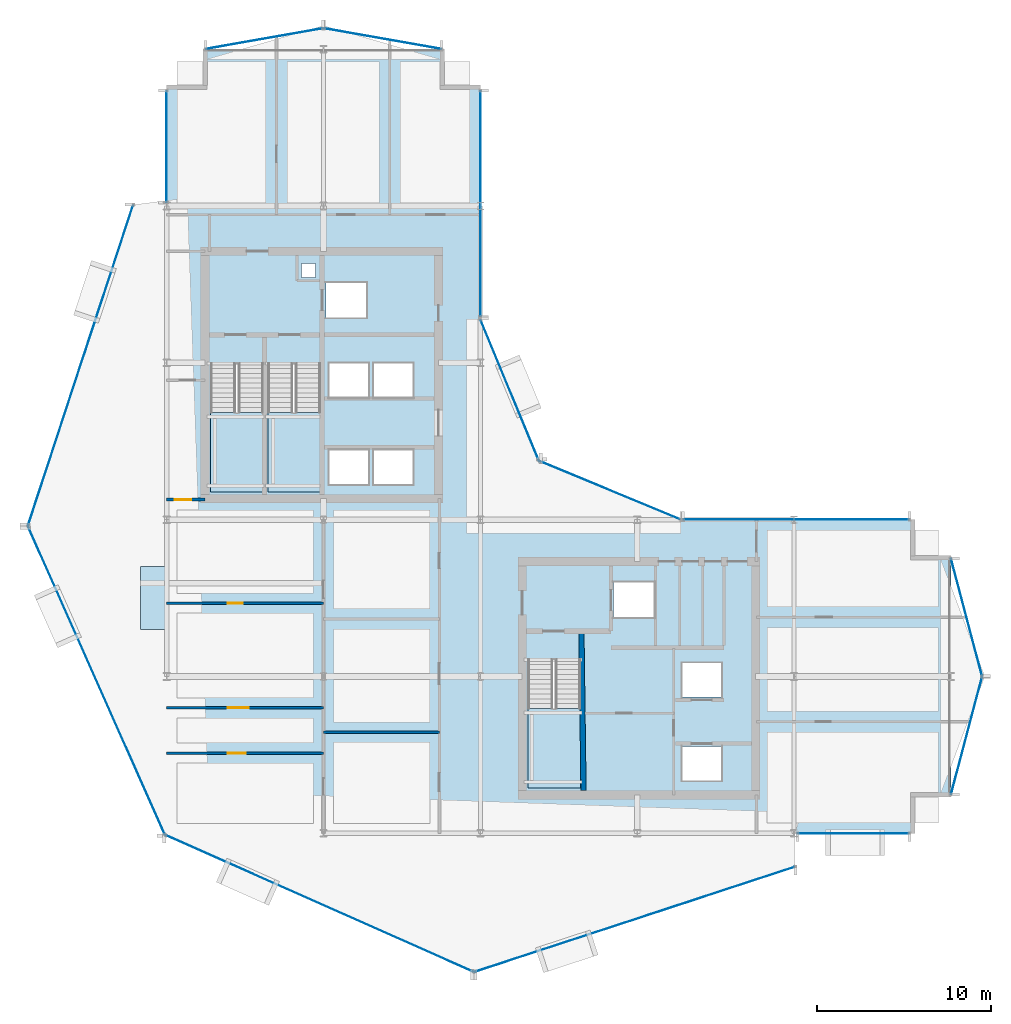
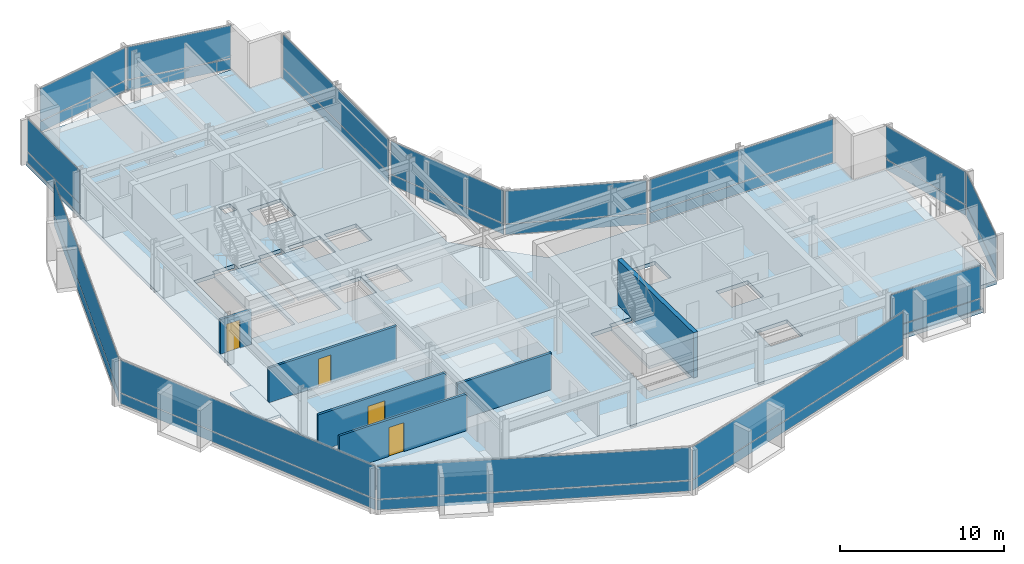
# One storey, part 21 of 29: 28 plates, 6 walls, 5 slabs, 4 doors, 4 openings, 17 elements without a shape of their own.
"""IFC4 building model written with IfcOpenShell, lengths in metres."""

from ifc_helpers import new_model, si_unit, direction, frame, frame_2d, origin, origin_2d, place, context, subcontext, project, spatial, polyline, rectangle, outline, extrude, material, layer, layer_set, type_object, element, fill, aggregate, save


model = new_model("IFC4")

# Units and contexts
model_context = context("Model", 3, precision=1e-05, world=origin(), true_north=direction((0.0, 1.0)))
body_context = subcontext(model_context, "Body", "Model", "MODEL_VIEW")
ifc_project = project(units=[si_unit("LENGTHUNIT", "METRE"), si_unit("AREAUNIT", "SQUARE_METRE"), si_unit("VOLUMEUNIT", "CUBIC_METRE"), si_unit("PLANEANGLEUNIT", "RADIAN"), si_unit("MASSUNIT", "GRAM", prefix="KILO")], contexts=[model_context])

# Site, building, storey
site_placement = place(None, origin())
site = spatial("IfcSite", under=ifc_project, at=site_placement, CompositionType="ELEMENT")
building_placement = place(site_placement, origin())
building = spatial("IfcBuilding", under=site, at=building_placement, Name="Solvaryn Broadcast Tower", CompositionType="ELEMENT")
storey_placement = place(building_placement, frame((0.0, 0.0, 165.5)))
storey = spatial("IfcBuildingStorey", under=building, at=storey_placement, Name="L41", CompositionType="ELEMENT", Elevation=165.5)

# Curtain wall, plates
ifc_material_1 = material(Name="Aluminium and Terracotta Unitised Curtain Wall", Category="masonry")
ifc_layer_1 = layer(ifc_material_1, 0.199951171875)
ifc_layer_set_1 = layer_set([ifc_layer_1], Name="CW-SYS2-LOWMID")
curtain_wall_type = type_object("IfcCurtainWallType", Name="CW-SYS2-LOWMID", PredefinedType="NOTDEFINED", material=ifc_layer_set_1)
curtain_wall_1_placement = place(storey_placement, origin())
curtain_wall_1 = element("IfcCurtainWall", 1, at=curtain_wall_1_placement, inside=storey, type_object=curtain_wall_type, Name="L41 Curtain Wall DR1", PredefinedType="NOTDEFINED")
ifc_material_2 = material(Name="Low-Iron Insulated Vision Glass", Category="glass")
ifc_layer_2 = layer(ifc_material_2, 0.035888671875)
ifc_layer_set_2 = layer_set([ifc_layer_2], Name="CW-PNL-VISION")
plate_type = type_object("IfcPlateType", Name="CW-PNL-VISION", PredefinedType="CURTAIN_PANEL", material=ifc_layer_set_2)
plate_1_placement = place(storey_placement, frame((4.056396484375, 35.8515625, 0.06005859375), z_axis=(0.0, 0.0, 1.0), x_axis=(-0.311646057547, -0.950198260794, 0.0)))
plate_1 = element("IfcPlate", 2, at=plate_1_placement, type_object=plate_type, Name="CWS2 panel 1.1", PredefinedType="CURTAIN_PANEL", context=body_context, shape_type="SweptSolid", body=[
    extrude(rectangle(XDim=19.277099609375, YDim=0.028076171875, at=origin_2d()), origin(), (0.0, 0.0, 1.0), 0.760009765625),
])
plate_2_placement = place(storey_placement, frame((4.056396484375, 35.8515625, 0.8798828125), z_axis=(0.0, 0.0, 1.0), x_axis=(-0.311646057547, -0.950198260794, 0.0)))
plate_2 = element("IfcPlate", 3, at=plate_2_placement, type_object=plate_type, Name="CWS2 panel 1.2", PredefinedType="CURTAIN_PANEL", context=body_context, shape_type="SweptSolid", body=[
    extrude(rectangle(XDim=19.277099609375, YDim=0.028076171875, at=origin_2d()), origin(), (0.0, 0.0, 1.0), 2.429931640625),
])
aggregate(curtain_wall_1, [plate_1, plate_2])

curtain_wall_2_placement = place(storey_placement, origin())
curtain_wall_2 = element("IfcCurtainWall", 4, at=curtain_wall_2_placement, inside=storey, type_object=curtain_wall_type, Name="L41 Curtain Wall DR2", PredefinedType="NOTDEFINED")
plate_3_placement = place(storey_placement, frame((4.970947265625, 17.77197265625, 0.06005859375), z_axis=(0.0, 0.0, 1.0), x_axis=(0.405918429309, -0.913909311008, 0.0)))
plate_3 = element("IfcPlate", 5, at=plate_3_placement, type_object=plate_type, Name="CWS2 panel 1.1", PredefinedType="CURTAIN_PANEL", context=body_context, shape_type="SweptSolid", body=[
    extrude(rectangle(XDim=19.278076171875, YDim=0.028076171875, at=origin_2d()), origin(), (0.0, 0.0, 1.0), 0.760009765625),
])
plate_4_placement = place(storey_placement, frame((4.970947265625, 17.77197265625, 0.8798828125), z_axis=(0.0, 0.0, 1.0), x_axis=(0.405918429309, -0.913909311008, 0.0)))
plate_4 = element("IfcPlate", 6, at=plate_4_placement, type_object=plate_type, Name="CWS2 panel 1.2", PredefinedType="CURTAIN_PANEL", context=body_context, shape_type="SweptSolid", body=[
    extrude(rectangle(XDim=19.278076171875, YDim=0.028076171875, at=origin_2d()), origin(), (0.0, 0.0, 1.0), 2.429931640625),
])
aggregate(curtain_wall_2, [plate_3, plate_4])

curtain_wall_3_placement = place(storey_placement, origin())
curtain_wall_3 = element("IfcCurtainWall", 7, at=curtain_wall_3_placement, inside=storey, type_object=curtain_wall_type, Name="L41 Curtain Wall DR3", PredefinedType="NOTDEFINED")
plate_5_placement = place(storey_placement, frame((17.77197265625, 4.970947265625, 0.06005859375), z_axis=(0.0, 0.0, 1.0), x_axis=(0.913909311008, -0.405918429309, 0.0)))
plate_5 = element("IfcPlate", 8, at=plate_5_placement, type_object=plate_type, Name="CWS2 panel 1.1", PredefinedType="CURTAIN_PANEL", context=body_context, shape_type="SweptSolid", body=[
    extrude(rectangle(XDim=19.278076171875, YDim=0.028076171875, at=origin_2d()), origin(), (0.0, 0.0, 1.0), 0.760009765625),
])
plate_6_placement = place(storey_placement, frame((17.77197265625, 4.970947265625, 0.8798828125), z_axis=(0.0, 0.0, 1.0), x_axis=(0.913909311008, -0.405918429309, 0.0)))
plate_6 = element("IfcPlate", 9, at=plate_6_placement, type_object=plate_type, Name="CWS2 panel 1.2", PredefinedType="CURTAIN_PANEL", context=body_context, shape_type="SweptSolid", body=[
    extrude(rectangle(XDim=19.278076171875, YDim=0.028076171875, at=origin_2d()), origin(), (0.0, 0.0, 1.0), 2.429931640625),
])
aggregate(curtain_wall_3, [plate_5, plate_6])

curtain_wall_4_placement = place(storey_placement, origin())
curtain_wall_4 = element("IfcCurtainWall", 10, at=curtain_wall_4_placement, inside=storey, type_object=curtain_wall_type, Name="L41 Curtain Wall DR4", PredefinedType="NOTDEFINED")
plate_7_placement = place(storey_placement, frame((35.8515625, 4.056396484375, 0.06005859375), z_axis=(0.0, 0.0, 1.0), x_axis=(0.950198260794, 0.311646057547, 0.0)))
plate_7 = element("IfcPlate", 11, at=plate_7_placement, type_object=plate_type, Name="CWS2 panel 1.1", PredefinedType="CURTAIN_PANEL", context=body_context, shape_type="SweptSolid", body=[
    extrude(rectangle(XDim=19.277099609375, YDim=0.028076171875, at=origin_2d()), origin(), (0.0, 0.0, 1.0), 0.760009765625),
])
plate_8_placement = place(storey_placement, frame((35.8515625, 4.056396484375, 0.8798828125), z_axis=(0.0, 0.0, 1.0), x_axis=(0.950198260794, 0.311646057547, 0.0)))
plate_8 = element("IfcPlate", 12, at=plate_8_placement, type_object=plate_type, Name="CWS2 panel 1.2", PredefinedType="CURTAIN_PANEL", context=body_context, shape_type="SweptSolid", body=[
    extrude(rectangle(XDim=19.277099609375, YDim=0.028076171875, at=origin_2d()), origin(), (0.0, 0.0, 1.0), 2.429931640625),
])
aggregate(curtain_wall_4, [plate_7, plate_8])

curtain_wall_5_placement = place(storey_placement, origin())
curtain_wall_5 = element("IfcCurtainWall", 13, at=curtain_wall_5_placement, inside=storey, type_object=curtain_wall_type, Name="L41 Curtain Wall W2", PredefinedType="NOTDEFINED")
plate_9_placement = place(storey_placement, frame((9.0, 48.408447265625, 0.06005859375), z_axis=(0.0, 0.0, 1.0), x_axis=(0.0, 1.0, 0.0)))
plate_9 = element("IfcPlate", 14, at=plate_9_placement, type_object=plate_type, Name="CWS2 panel 1.1", PredefinedType="CURTAIN_PANEL", context=body_context, shape_type="SweptSolid", body=[
    extrude(rectangle(XDim=6.363037109375, YDim=0.028076171875, at=origin_2d()), origin(), (0.0, 0.0, 1.0), 0.760009765625),
])
plate_10_placement = place(storey_placement, frame((9.0, 48.408447265625, 0.8798828125), z_axis=(0.0, 0.0, 1.0), x_axis=(0.0, 1.0, 0.0)))
plate_10 = element("IfcPlate", 15, at=plate_10_placement, type_object=plate_type, Name="CWS2 panel 1.2", PredefinedType="CURTAIN_PANEL", context=body_context, shape_type="SweptSolid", body=[
    extrude(rectangle(XDim=6.363037109375, YDim=0.028076171875, at=origin_2d()), origin(), (0.0, 0.0, 1.0), 2.429931640625),
])
aggregate(curtain_wall_5, [plate_9, plate_10])

curtain_wall_6_placement = place(storey_placement, origin())
curtain_wall_6 = element("IfcCurtainWall", 16, at=curtain_wall_6_placement, inside=storey, type_object=curtain_wall_type, Name="L41 Curtain Wall IV", PredefinedType="NOTDEFINED")
plate_11_placement = place(storey_placement, frame((27.0, 45.125, 0.06005859375), z_axis=(0.0, 0.0, 1.0), x_axis=(0.0, -1.0, 0.0)))
plate_11 = element("IfcPlate", 17, at=plate_11_placement, type_object=plate_type, Name="CWS2 panel 1.1", PredefinedType="CURTAIN_PANEL", context=body_context, shape_type="SweptSolid", body=[
    extrude(rectangle(XDim=12.929931640625, YDim=0.028076171875, at=origin_2d()), origin(), (0.0, 0.0, 1.0), 0.760009765625),
])
plate_12_placement = place(storey_placement, frame((27.0, 45.125, 0.8798828125), z_axis=(0.0, 0.0, 1.0), x_axis=(0.0, -1.0, 0.0)))
plate_12 = element("IfcPlate", 18, at=plate_12_placement, type_object=plate_type, Name="CWS2 panel 1.2", PredefinedType="CURTAIN_PANEL", context=body_context, shape_type="SweptSolid", body=[
    extrude(rectangle(XDim=12.929931640625, YDim=0.028076171875, at=origin_2d()), origin(), (0.0, 0.0, 1.0), 2.429931640625),
])
aggregate(curtain_wall_6, [plate_11, plate_12])

curtain_wall_7_placement = place(storey_placement, origin())
curtain_wall_7 = element("IfcCurtainWall", 19, at=curtain_wall_7_placement, inside=storey, type_object=curtain_wall_type, Name="L41 Curtain Wall CN1", PredefinedType="NOTDEFINED")
plate_13_placement = place(storey_placement, frame((34.43408203125, 28.68408203125, 0.06005859375), z_axis=(0.0, 0.0, 1.0), x_axis=(-0.923894983957, 0.382646127145, 0.0)))
plate_13 = element("IfcPlate", 20, at=plate_13_placement, type_object=plate_type, Name="CWS2 panel 1.1", PredefinedType="CURTAIN_PANEL", context=body_context, shape_type="SweptSolid", body=[
    extrude(rectangle(XDim=8.681884765625, YDim=0.028076171875, at=origin_2d()), origin(), (0.0, 0.0, 1.0), 0.760009765625),
])
plate_14_placement = place(storey_placement, frame((34.43408203125, 28.68408203125, 0.8798828125), z_axis=(0.0, 0.0, 1.0), x_axis=(-0.923894983957, 0.382646127145, 0.0)))
plate_14 = element("IfcPlate", 21, at=plate_14_placement, type_object=plate_type, Name="CWS2 panel 1.2", PredefinedType="CURTAIN_PANEL", context=body_context, shape_type="SweptSolid", body=[
    extrude(rectangle(XDim=8.681884765625, YDim=0.028076171875, at=origin_2d()), origin(), (0.0, 0.0, 1.0), 2.429931640625),
])
aggregate(curtain_wall_7, [plate_13, plate_14])

curtain_wall_8_placement = place(storey_placement, origin())
curtain_wall_8 = element("IfcCurtainWall", 22, at=curtain_wall_8_placement, inside=storey, type_object=curtain_wall_type, Name="L41 Curtain Wall CN2", PredefinedType="NOTDEFINED")
plate_15_placement = place(storey_placement, frame((28.68408203125, 34.43408203125, 0.06005859375), z_axis=(0.0, 0.0, 1.0), x_axis=(-0.382646127145, 0.923894983957, 0.0)))
plate_15 = element("IfcPlate", 23, at=plate_15_placement, type_object=plate_type, Name="CWS2 panel 1.1", PredefinedType="CURTAIN_PANEL", context=body_context, shape_type="SweptSolid", body=[
    extrude(rectangle(XDim=8.681884765625, YDim=0.028076171875, at=origin_2d()), origin(), (0.0, 0.0, 1.0), 0.760009765625),
])
plate_16_placement = place(storey_placement, frame((28.68408203125, 34.43408203125, 0.8798828125), z_axis=(0.0, 0.0, 1.0), x_axis=(-0.382646127145, 0.923894983957, 0.0)))
plate_16 = element("IfcPlate", 24, at=plate_16_placement, type_object=plate_type, Name="CWS2 panel 1.2", PredefinedType="CURTAIN_PANEL", context=body_context, shape_type="SweptSolid", body=[
    extrude(rectangle(XDim=8.681884765625, YDim=0.028076171875, at=origin_2d()), origin(), (0.0, 0.0, 1.0), 2.429931640625),
])
aggregate(curtain_wall_8, [plate_15, plate_16])

curtain_wall_9_placement = place(storey_placement, origin())
curtain_wall_9 = element("IfcCurtainWall", 25, at=curtain_wall_9_placement, inside=storey, type_object=curtain_wall_type, Name="L41 Curtain Wall S2", PredefinedType="NOTDEFINED")
plate_17_placement = place(storey_placement, frame((48.408447265625, 9.0, 0.06005859375), z_axis=(0.0, 0.0, 1.0), x_axis=(1.0, 0.0, 0.0)))
plate_17 = element("IfcPlate", 26, at=plate_17_placement, type_object=plate_type, Name="CWS2 panel 1.1", PredefinedType="CURTAIN_PANEL", context=body_context, shape_type="SweptSolid", body=[
    extrude(rectangle(XDim=6.363037109375, YDim=0.028076171875, at=origin_2d()), origin(), (0.0, 0.0, 1.0), 0.760009765625),
])
plate_18_placement = place(storey_placement, frame((48.408447265625, 9.0, 0.8798828125), z_axis=(0.0, 0.0, 1.0), x_axis=(1.0, 0.0, 0.0)))
plate_18 = element("IfcPlate", 27, at=plate_18_placement, type_object=plate_type, Name="CWS2 panel 1.2", PredefinedType="CURTAIN_PANEL", context=body_context, shape_type="SweptSolid", body=[
    extrude(rectangle(XDim=6.363037109375, YDim=0.028076171875, at=origin_2d()), origin(), (0.0, 0.0, 1.0), 2.429931640625),
])
aggregate(curtain_wall_9, [plate_17, plate_18])

curtain_wall_10_placement = place(storey_placement, origin())
curtain_wall_10 = element("IfcCurtainWall", 28, at=curtain_wall_10_placement, inside=storey, type_object=curtain_wall_type, Name="L41 Curtain Wall NT1", PredefinedType="NOTDEFINED")
plate_19_placement = place(storey_placement, frame((21.39990234375, 54.60009765625, 0.06005859375), z_axis=(0.0, 0.0, 1.0), x_axis=(-0.984783558819, 0.173785333901, 0.0)))
plate_19 = element("IfcPlate", 29, at=plate_19_placement, type_object=plate_type, Name="CWS2 panel 1.1", PredefinedType="CURTAIN_PANEL", context=body_context, shape_type="SweptSolid", body=[
    extrude(rectangle(XDim=6.78515625, YDim=0.028076171875, at=origin_2d()), origin(), (0.0, 0.0, 1.0), 0.760009765625),
])
plate_20_placement = place(storey_placement, frame((21.39990234375, 54.60009765625, 0.8798828125), z_axis=(0.0, 0.0, 1.0), x_axis=(-0.984783558819, 0.173785333901, 0.0)))
plate_20 = element("IfcPlate", 30, at=plate_20_placement, type_object=plate_type, Name="CWS2 panel 1.2", PredefinedType="CURTAIN_PANEL", context=body_context, shape_type="SweptSolid", body=[
    extrude(rectangle(XDim=6.78515625, YDim=0.028076171875, at=origin_2d()), origin(), (0.0, 0.0, 1.0), 2.429931640625),
])
aggregate(curtain_wall_10, [plate_19, plate_20])

curtain_wall_11_placement = place(storey_placement, origin())
curtain_wall_11 = element("IfcCurtainWall", 31, at=curtain_wall_11_placement, inside=storey, type_object=curtain_wall_type, Name="L41 Curtain Wall NT2", PredefinedType="NOTDEFINED")
plate_21_placement = place(storey_placement, frame((14.60009765625, 54.60009765625, 0.06005859375), z_axis=(0.0, 0.0, 1.0), x_axis=(-0.984783558819, -0.173785333901, 0.0)))
plate_21 = element("IfcPlate", 32, at=plate_21_placement, type_object=plate_type, Name="CWS2 panel 1.1", PredefinedType="CURTAIN_PANEL", context=body_context, shape_type="SweptSolid", body=[
    extrude(rectangle(XDim=6.78515625, YDim=0.028076171875, at=origin_2d()), origin(), (0.0, 0.0, 1.0), 0.760009765625),
])
plate_22_placement = place(storey_placement, frame((14.60009765625, 54.60009765625, 0.8798828125), z_axis=(0.0, 0.0, 1.0), x_axis=(-0.984783558819, -0.173785333901, 0.0)))
plate_22 = element("IfcPlate", 33, at=plate_22_placement, type_object=plate_type, Name="CWS2 panel 1.2", PredefinedType="CURTAIN_PANEL", context=body_context, shape_type="SweptSolid", body=[
    extrude(rectangle(XDim=6.78515625, YDim=0.028076171875, at=origin_2d()), origin(), (0.0, 0.0, 1.0), 2.429931640625),
])
aggregate(curtain_wall_11, [plate_21, plate_22])

curtain_wall_12_placement = place(storey_placement, origin())
curtain_wall_12 = element("IfcCurtainWall", 34, at=curtain_wall_12_placement, inside=storey, type_object=curtain_wall_type, Name="L41 Curtain Wall ET1", PredefinedType="NOTDEFINED")
plate_23_placement = place(storey_placement, frame((54.89990234375, 21.39990234375, 0.06005859375), z_axis=(0.0, 0.0, 1.0), x_axis=(0.25589256031, -0.966705227863, 0.0)))
plate_23 = element("IfcPlate", 35, at=plate_23_placement, type_object=plate_type, Name="CWS2 panel 1.1", PredefinedType="CURTAIN_PANEL", context=body_context, shape_type="SweptSolid", body=[
    extrude(rectangle(XDim=6.914306640625, YDim=0.028076171875, at=origin_2d()), origin(), (0.0, 0.0, 1.0), 0.760009765625),
])
plate_24_placement = place(storey_placement, frame((54.89990234375, 21.39990234375, 0.8798828125), z_axis=(0.0, 0.0, 1.0), x_axis=(0.25589256031, -0.966705227863, 0.0)))
plate_24 = element("IfcPlate", 36, at=plate_24_placement, type_object=plate_type, Name="CWS2 panel 1.2", PredefinedType="CURTAIN_PANEL", context=body_context, shape_type="SweptSolid", body=[
    extrude(rectangle(XDim=6.914306640625, YDim=0.028076171875, at=origin_2d()), origin(), (0.0, 0.0, 1.0), 2.429931640625),
])
aggregate(curtain_wall_12, [plate_23, plate_24])

curtain_wall_13_placement = place(storey_placement, origin())
curtain_wall_13 = element("IfcCurtainWall", 37, at=curtain_wall_13_placement, inside=storey, type_object=curtain_wall_type, Name="L41 Curtain Wall ET2", PredefinedType="NOTDEFINED")
plate_25_placement = place(storey_placement, frame((54.89990234375, 14.60009765625, 0.06005859375), z_axis=(0.0, 0.0, 1.0), x_axis=(-0.25589256031, -0.966705227863, 0.0)))
plate_25 = element("IfcPlate", 38, at=plate_25_placement, type_object=plate_type, Name="CWS2 panel 1.1", PredefinedType="CURTAIN_PANEL", context=body_context, shape_type="SweptSolid", body=[
    extrude(rectangle(XDim=6.914306640625, YDim=0.028076171875, at=origin_2d()), origin(), (0.0, 0.0, 1.0), 0.760009765625),
])
plate_26_placement = place(storey_placement, frame((54.89990234375, 14.60009765625, 0.8798828125), z_axis=(0.0, 0.0, 1.0), x_axis=(-0.25589256031, -0.966705227863, 0.0)))
plate_26 = element("IfcPlate", 39, at=plate_26_placement, type_object=plate_type, Name="CWS2 panel 1.2", PredefinedType="CURTAIN_PANEL", context=body_context, shape_type="SweptSolid", body=[
    extrude(rectangle(XDim=6.914306640625, YDim=0.028076171875, at=origin_2d()), origin(), (0.0, 0.0, 1.0), 2.429931640625),
])
aggregate(curtain_wall_13, [plate_25, plate_26])

curtain_wall_14_placement = place(storey_placement, origin())
curtain_wall_14 = element("IfcCurtainWall", 40, at=curtain_wall_14_placement, inside=storey, type_object=curtain_wall_type, Name="L41 Curtain Wall IH", PredefinedType="NOTDEFINED")
plate_27_placement = place(storey_placement, frame((45.125, 27.0, 0.06005859375), z_axis=(0.0, 0.0, 1.0), x_axis=(1.0, 0.0, 0.0)))
plate_27 = element("IfcPlate", 41, at=plate_27_placement, type_object=plate_type, Name="CWS2 panel 1.1", PredefinedType="CURTAIN_PANEL", context=body_context, shape_type="SweptSolid", body=[
    extrude(rectangle(XDim=12.929931640625, YDim=0.028076171875, at=origin_2d()), origin(), (0.0, 0.0, 1.0), 0.760009765625),
])
plate_28_placement = place(storey_placement, frame((45.125, 27.0, 0.8798828125), z_axis=(0.0, 0.0, 1.0), x_axis=(1.0, 0.0, 0.0)))
plate_28 = element("IfcPlate", 42, at=plate_28_placement, type_object=plate_type, Name="CWS2 panel 1.2", PredefinedType="CURTAIN_PANEL", context=body_context, shape_type="SweptSolid", body=[
    extrude(rectangle(XDim=12.929931640625, YDim=0.028076171875, at=origin_2d()), origin(), (0.0, 0.0, 1.0), 2.429931640625),
])
aggregate(curtain_wall_14, [plate_27, plate_28])

# Slab
ifc_material_3 = material(Name="Concrete f'c 60 MPa", Category="concrete")
ifc_layer_3 = layer(ifc_material_3, 0.2099609375)
ifc_layer_set_3 = layer_set([ifc_layer_3], Name="SL-BAYBOX-210")
slab_type_1 = type_object("IfcSlabType", Name="SL-BAYBOX-210", PredefinedType="FLOOR", material=ifc_layer_set_3)
slab_1_placement = place(storey_placement, frame((0.0, 0.0, -0.2099609375)))
element("IfcSlab", 43, at=slab_1_placement, inside=storey, type_object=slab_type_1, Name="L41 Projecting Bay-Box Slab 1", PredefinedType="FLOOR", context=body_context, shape_type="SweptSolid", body=[
    extrude(outline(polyline([(7.5, 20.699951171875), (9.0, 20.699951171875), (9.0, 24.300048828125), (7.5, 24.300048828125), (7.5, 20.699951171875)])), origin(), (0.0, 0.0, 1.0), 0.2099609375),
])

# Stair, slab
ifc_material_4 = material(Name="Concrete f'c 60 MPa", Category="concrete")
stair_type = type_object("IfcStairType", Name="ST-CORE", PredefinedType="HALF_TURN_STAIR", material=ifc_material_4)
stair_1_placement = place(storey_placement, origin())
stair_1 = element("IfcStair", 44, at=stair_1_placement, inside=storey, type_object=stair_type, Name="L41 ST1", PredefinedType="HALF_TURN_STAIR")
ifc_material_5 = material(Name="Concrete f'c 60 MPa", Category="concrete")
ifc_layer_4 = layer(ifc_material_5, 0.199951171875)
ifc_layer_set_4 = layer_set([ifc_layer_4], Name="SL-LANDING-200")
slab_type_2 = type_object("IfcSlabType", Name="SL-LANDING-200", PredefinedType="LANDING", material=ifc_layer_set_4)
slab_2_placement = place(storey_placement, frame((0.0, 0.0, 1.64990234375)))
slab_2 = element("IfcSlab", 45, at=slab_2_placement, type_object=slab_type_2, Name="ST1 landing 1", PredefinedType="LANDING", context=body_context, shape_type="SweptSolid", body=[
    extrude(outline(polyline([(11.52001953125, 33.159912109375), (11.52001953125, 28.60009765625), (14.550048828125, 28.60009765625), (14.550048828125, 33.159912109375), (11.52001953125, 33.159912109375)])), origin(), (0.0, 0.0, 1.0), 0.2001953125),
])
aggregate(stair_1, [slab_2])

stair_2_placement = place(storey_placement, origin())
stair_2 = element("IfcStair", 46, at=stair_2_placement, inside=storey, type_object=stair_type, Name="L41 ST2", PredefinedType="HALF_TURN_STAIR")
slab_3_placement = place(storey_placement, frame((0.0, 0.0, 1.64990234375)))
slab_3 = element("IfcSlab", 47, at=slab_3_placement, type_object=slab_type_2, Name="ST2 landing 1", PredefinedType="LANDING", context=body_context, shape_type="SweptSolid", body=[
    extrude(outline(polyline([(14.800048828125, 33.159912109375), (14.800048828125, 28.60009765625), (17.830078125, 28.60009765625), (17.830078125, 33.159912109375), (14.800048828125, 33.159912109375)])), origin(), (0.0, 0.0, 1.0), 0.2001953125),
])
aggregate(stair_2, [slab_3])

stair_3_placement = place(storey_placement, origin())
stair_3 = element("IfcStair", 48, at=stair_3_placement, inside=storey, type_object=stair_type, Name="L41 ST3", PredefinedType="HALF_TURN_STAIR")
slab_4_placement = place(storey_placement, frame((0.0, 0.0, 1.64990234375)))
slab_4 = element("IfcSlab", 49, at=slab_4_placement, type_object=slab_type_2, Name="ST3 landing 1", PredefinedType="LANDING", context=body_context, shape_type="SweptSolid", body=[
    extrude(outline(polyline([(29.719970703125, 16.159912109375), (29.719970703125, 11.60009765625), (32.75, 11.60009765625), (32.75, 16.159912109375), (29.719970703125, 16.159912109375)])), origin(), (0.0, 0.0, 1.0), 0.2001953125),
])
aggregate(stair_3, [slab_4])

# Slab
ifc_material_6 = material(Name="Concrete f'c 60 MPa", Category="concrete")
ifc_layer_5 = layer(ifc_material_6, 0.280029296875)
ifc_layer_set_5 = layer_set([ifc_layer_5], Name="SL-TWR-280")
slab_type_3 = type_object("IfcSlabType", Name="SL-TWR-280", PredefinedType="FLOOR", material=ifc_layer_set_5)
slab_5_placement = place(storey_placement, frame((0.0, 0.0, -0.280029296875)))
element("IfcSlab", 50, at=slab_5_placement, inside=storey, type_object=slab_type_3, Name="L41 Structural Floor Slab", PredefinedType="FLOOR", context=body_context, shape_type="SweptSolid", body=[
    extrude(outline(polyline([(11.199951171875, 9.0), (51.800048828125, 9.0), (51.800048828125, 11.199951171875), (54.0, 11.199951171875), (54.0, 24.800048828125), (51.800048828125, 24.800048828125), (51.800048828125, 27.0), (31.5, 27.0), (27.0, 31.5), (27.0, 51.800048828125), (24.800048828125, 51.800048828125), (24.800048828125, 54.0), (11.199951171875, 54.0), (11.199951171875, 51.800048828125), (9.0, 51.800048828125), (9.0, 11.199951171875), (11.199951171875, 11.199951171875), (11.199951171875, 9.0)]), holes=[polyline([(11.52001953125, 28.60009765625), (14.550048828125, 28.60009765625), (14.550048828125, 35.9599609375), (12.97998046875, 35.9599609375), (12.97998046875, 35.679931640625), (11.52001953125, 35.679931640625), (11.52001953125, 28.60009765625)]), polyline([(14.800048828125, 28.60009765625), (17.830078125, 28.60009765625), (17.830078125, 35.9599609375), (16.260009765625, 35.9599609375), (16.260009765625, 35.679931640625), (14.800048828125, 35.679931640625), (14.800048828125, 28.60009765625)]), polyline([(29.719970703125, 11.60009765625), (32.75, 11.60009765625), (32.75, 18.9599609375), (31.179931640625, 18.9599609375), (31.179931640625, 18.679931640625), (29.719970703125, 18.679931640625), (29.719970703125, 11.60009765625)]), polyline([(18.14990234375, 38.60009765625), (20.449951171875, 38.60009765625), (20.449951171875, 40.60009765625), (18.14990234375, 40.60009765625), (18.14990234375, 38.60009765625)]), polyline([(18.324951171875, 29.02490234375), (20.574951171875, 29.02490234375), (20.574951171875, 30.97509765625), (18.324951171875, 30.97509765625), (18.324951171875, 29.02490234375)]), polyline([(20.875, 29.02490234375), (23.125, 29.02490234375), (23.125, 30.97509765625), (20.875, 30.97509765625), (20.875, 29.02490234375)]), polyline([(18.324951171875, 34.02490234375), (20.574951171875, 34.02490234375), (20.574951171875, 35.97509765625), (18.324951171875, 35.97509765625), (18.324951171875, 34.02490234375)]), polyline([(20.875, 34.02490234375), (23.125, 34.02490234375), (23.125, 35.97509765625), (20.875, 35.97509765625), (20.875, 34.02490234375)]), polyline([(34.64990234375, 21.39990234375), (36.949951171875, 21.39990234375), (36.949951171875, 23.39990234375), (34.64990234375, 23.39990234375), (34.64990234375, 21.39990234375)]), polyline([(38.574951171875, 12.02490234375), (40.824951171875, 12.02490234375), (40.824951171875, 13.97509765625), (38.574951171875, 13.97509765625), (38.574951171875, 12.02490234375)]), polyline([(38.574951171875, 16.824951171875), (40.824951171875, 16.824951171875), (40.824951171875, 18.77490234375), (38.574951171875, 18.77490234375), (38.574951171875, 16.824951171875)]), polyline([(16.75, 40.89990234375), (17.550048828125, 40.89990234375), (17.550048828125, 41.699951171875), (16.75, 41.699951171875), (16.75, 40.89990234375)])]), origin(), (0.0, 0.0, 1.0), 0.280029296875),
])

# Wall, opening, door
ifc_material_7 = material(Name="Metal-Stud Gypsum Office Partition")
ifc_layer_6 = layer(ifc_material_7, 0.159912109375)
ifc_layer_set_6 = layer_set([ifc_layer_6], Name="IW-PART-160")
wall_type_1 = type_object("IfcWallType", Name="IW-PART-160", PredefinedType="PARTITIONING", material=ifc_layer_set_6)
wall_1_placement = place(storey_placement, frame((9.0, 28.14990234375, 0.0), z_axis=(0.0, 0.0, 1.0), x_axis=(1.0, 0.0, 0.0)))
wall_1 = element("IfcWall", 51, at=wall_1_placement, inside=storey, type_object=wall_type_1, Name="L41 Interior Partition IW-L41-WM-S", PredefinedType="PARTITIONING", context=body_context, shape_type="SweptSolid", body=[
    extrude(rectangle(XDim=2.199951171875, YDim=0.159912109375, at=frame_2d((1.10009765625, 0.0))), origin(), (0.0, 0.0, 1.0), 2.583984375),
])
opening_1_placement = place(wall_1_placement, frame((0.449951171875, 0.0, 0.0)))
opening_1 = element("IfcOpeningElement", 52, at=opening_1_placement, cuts=wall_1, Name="Opening ID01", PredefinedType="OPENING", context=body_context, shape_type="SweptSolid", body=[
    extrude(rectangle(XDim=0.949951171875, YDim=2.10009765625, at=frame_2d((0.47509765625, 1.050048828125))), frame((0.0, 0.090087890625, 0.0), z_axis=(0.0, -1.0, 0.0), x_axis=(1.0, 0.0, 0.0)), (0.0, 0.0, 1.0), 0.179931640625),
])
ifc_material_8 = material(Name="Flush Acoustic Steel and Timber Door Assembly", Category="steel")
door_type_1 = type_object("IfcDoorType", Name="ID-01-950X2100", OperationType="NOTDEFINED", PredefinedType="DOOR", material=ifc_material_8)
door_1_placement = place(opening_1_placement, origin())
door_1 = element("IfcDoor", 53, at=door_1_placement, inside=storey, type_object=door_type_1, Name="L41 Door DR-L41-WM0", OperationType="SINGLE_SWING_RIGHT", OverallHeight=2.10009765625, OverallWidth=0.949951171875, PredefinedType="DOOR", context=body_context, shape_type="SweptSolid", body=[
    extrude(rectangle(XDim=0.949951171875, YDim=2.10009765625, at=frame_2d((0.47509765625, 1.050048828125))), frame((0.0, 0.02490234375, 0.0), z_axis=(0.0, -1.0, 0.0), x_axis=(1.0, 0.0, 0.0)), (0.0, 0.0, 1.0), 0.050048828125),
])
fill(opening_1, door_1)

# Wall
wall_2_placement = place(storey_placement, frame((18.0, 14.800048828125, 0.0), z_axis=(0.0, 0.0, 1.0), x_axis=(1.0, 0.0, 0.0)))
element("IfcWall", 54, at=wall_2_placement, inside=storey, type_object=wall_type_1, Name="L41 Interior Partition IW-L41-SWE-H1", PredefinedType="PARTITIONING", context=body_context, shape_type="SweptSolid", body=[
    extrude(rectangle(XDim=6.64990234375, YDim=0.159912109375, at=frame_2d((3.324951171875, 0.0))), origin(), (0.0, 0.0, 1.0), 2.741943359375),
])

# Wall, opening, door
wall_3_placement = place(storey_placement, frame((9.0, 13.60009765625, 0.0), z_axis=(0.0, 0.0, 1.0), x_axis=(1.0, 0.0, 0.0)))
wall_3 = element("IfcWall", 55, at=wall_3_placement, inside=storey, type_object=wall_type_1, Name="L41 Interior Partition IW-L41-SWW-H1", PredefinedType="PARTITIONING", context=body_context, shape_type="SweptSolid", body=[
    extrude(rectangle(XDim=9.0, YDim=0.159912109375, at=frame_2d((4.5, 0.0))), origin(), (0.0, 0.0, 1.0), 2.741943359375),
])
opening_2_placement = place(wall_3_placement, frame((3.5, 0.0, 0.0)))
opening_2 = element("IfcOpeningElement", 56, at=opening_2_placement, cuts=wall_3, Name="Opening ID03", PredefinedType="OPENING", context=body_context, shape_type="SweptSolid", body=[
    extrude(rectangle(XDim=1.050048828125, YDim=2.14990234375, at=frame_2d((0.52490234375, 1.074951171875))), frame((0.0, 0.090087890625, 0.0), z_axis=(0.0, -1.0, 0.0), x_axis=(1.0, 0.0, 0.0)), (0.0, 0.0, 1.0), 0.179931640625),
])
ifc_material_9 = material(Name="Flush Acoustic Steel and Timber Door Assembly", Category="steel")
door_type_2 = type_object("IfcDoorType", Name="ID-03-1050X2150", OperationType="NOTDEFINED", PredefinedType="DOOR", material=ifc_material_9)
door_2_placement = place(opening_2_placement, origin())
door_2 = element("IfcDoor", 57, at=door_2_placement, inside=storey, type_object=door_type_2, Name="L41 Door DR-L41-SWW-1", OperationType="SINGLE_SWING_LEFT", OverallHeight=2.14990234375, OverallWidth=1.050048828125, PredefinedType="DOOR", context=body_context, shape_type="SweptSolid", body=[
    extrude(rectangle(XDim=1.050048828125, YDim=2.14990234375, at=frame_2d((0.52490234375, 1.074951171875))), frame((0.0, 0.02490234375, 0.0), z_axis=(0.0, -1.0, 0.0), x_axis=(1.0, 0.0, 0.0)), (0.0, 0.0, 1.0), 0.050048828125),
])
fill(opening_2, door_2)

wall_4_placement = place(storey_placement, frame((9.0, 16.199951171875, 0.0), z_axis=(0.0, 0.0, 1.0), x_axis=(1.0, 0.0, 0.0)))
wall_4 = element("IfcWall", 58, at=wall_4_placement, inside=storey, type_object=wall_type_1, Name="L41 Interior Partition IW-L41-SWW-H2", PredefinedType="PARTITIONING", context=body_context, shape_type="SweptSolid", body=[
    extrude(rectangle(XDim=9.0, YDim=0.159912109375, at=frame_2d((4.5, 0.0))), origin(), (0.0, 0.0, 1.0), 2.741943359375),
])
opening_3_placement = place(wall_4_placement, frame((3.5, 0.0, 0.0)))
opening_3 = element("IfcOpeningElement", 59, at=opening_3_placement, cuts=wall_4, Name="Opening ID04", PredefinedType="OPENING", context=body_context, shape_type="SweptSolid", body=[
    extrude(rectangle(XDim=1.199951171875, YDim=2.14990234375, at=frame_2d((0.60009765625, 1.074951171875))), frame((0.0, 0.090087890625, 0.0), z_axis=(0.0, -1.0, 0.0), x_axis=(1.0, 0.0, 0.0)), (0.0, 0.0, 1.0), 0.179931640625),
])
ifc_material_10 = material(Name="Flush Acoustic Steel and Timber Door Assembly", Category="steel")
door_type_3 = type_object("IfcDoorType", Name="ID-04-1200X2150", OperationType="NOTDEFINED", PredefinedType="DOOR", material=ifc_material_10)
door_3_placement = place(opening_3_placement, origin())
door_3 = element("IfcDoor", 60, at=door_3_placement, inside=storey, type_object=door_type_3, Name="L41 Door DR-L41-SWW-2", OperationType="SINGLE_SWING_RIGHT", OverallHeight=2.14990234375, OverallWidth=1.199951171875, PredefinedType="DOOR", context=body_context, shape_type="SweptSolid", body=[
    extrude(rectangle(XDim=1.199951171875, YDim=2.14990234375, at=frame_2d((0.60009765625, 1.074951171875))), frame((0.0, 0.02490234375, 0.0), z_axis=(0.0, -1.0, 0.0), x_axis=(1.0, 0.0, 0.0)), (0.0, 0.0, 1.0), 0.050048828125),
])
fill(opening_3, door_3)

wall_5_placement = place(storey_placement, frame((9.0, 22.199951171875, 0.0), z_axis=(0.0, 0.0, 1.0), x_axis=(1.0, 0.0, 0.0)))
wall_5 = element("IfcWall", 61, at=wall_5_placement, inside=storey, type_object=wall_type_1, Name="L41 Interior Partition IW-L41-SWW-H3", PredefinedType="PARTITIONING", context=body_context, shape_type="SweptSolid", body=[
    extrude(rectangle(XDim=9.0, YDim=0.159912109375, at=frame_2d((4.5, 0.0))), origin(), (0.0, 0.0, 1.0), 2.583984375),
])
opening_4_placement = place(wall_5_placement, frame((3.5, 0.0, 0.0)))
opening_4 = element("IfcOpeningElement", 62, at=opening_4_placement, cuts=wall_5, Name="Opening ID07", PredefinedType="OPENING", context=body_context, shape_type="SweptSolid", body=[
    extrude(rectangle(XDim=0.860107421875, YDim=2.050048828125, at=frame_2d((0.43017578125, 1.02490234375))), frame((0.0, 0.090087890625, 0.0), z_axis=(0.0, -1.0, 0.0), x_axis=(1.0, 0.0, 0.0)), (0.0, 0.0, 1.0), 0.179931640625),
])
ifc_material_11 = material(Name="Flush Acoustic Steel and Timber Door Assembly", Category="steel")
door_type_4 = type_object("IfcDoorType", Name="ID-07-860X2050", OperationType="NOTDEFINED", PredefinedType="DOOR", material=ifc_material_11)
door_4_placement = place(opening_4_placement, origin())
door_4 = element("IfcDoor", 63, at=door_4_placement, inside=storey, type_object=door_type_4, Name="L41 Door DR-L41-SWW-3", OperationType="SINGLE_SWING_LEFT", OverallHeight=2.050048828125, OverallWidth=0.860107421875, PredefinedType="DOOR", context=body_context, shape_type="SweptSolid", body=[
    extrude(rectangle(XDim=0.860107421875, YDim=2.050048828125, at=frame_2d((0.43017578125, 1.02490234375))), frame((0.0, 0.02490234375, 0.0), z_axis=(0.0, -1.0, 0.0), x_axis=(1.0, 0.0, 0.0)), (0.0, 0.0, 1.0), 0.050048828125),
])
fill(opening_4, door_4)

# Wall
ifc_material_12 = material(Name="Concrete f'c 70 MPa", Category="concrete")
ifc_layer_7 = layer(ifc_material_12, 0.300048828125)
ifc_layer_set_7 = layer_set([ifc_layer_7], Name="SW-SHAFT-300")
wall_type_2 = type_object("IfcWallType", Name="SW-SHAFT-300", PredefinedType="SHEAR", material=ifc_layer_set_7)
wall_6_placement = place(storey_placement, frame((32.919921875, 11.449951171875, 0.0), z_axis=(0.0, 0.0, 1.0), x_axis=(-0.013171578211, 0.999913251001, 0.0)))
element("IfcWall", 64, at=wall_6_placement, inside=storey, type_object=wall_type_2, Name="L41 Stair 3 East Shear Wall", PredefinedType="SHEAR", context=body_context, shape_type="SweptSolid", body=[
    extrude(rectangle(XDim=9.100830078125, YDim=0.300048828125, at=frame_2d((4.55029296875, 0.0))), origin(), (0.0, 0.0, 1.0), 3.3701171875),
])

save(model, "model.ifc")
